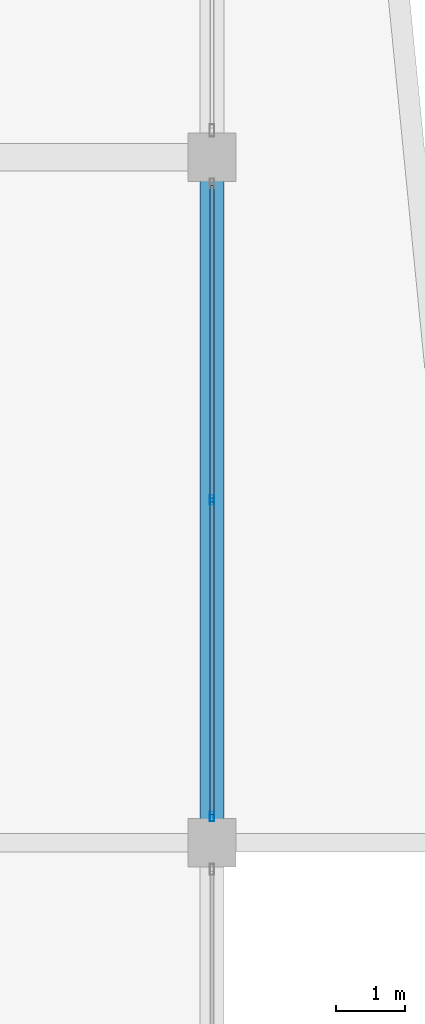
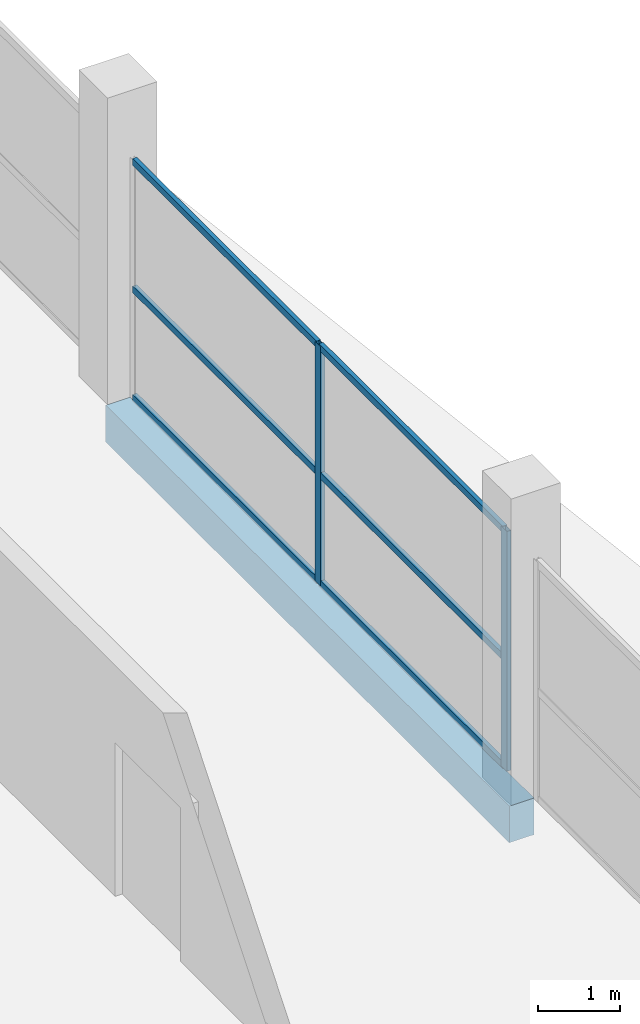
# One storey, part 36 of 69: 8 members, 1 beam, 1 element without a shape of its own.
"""IFC4 building model written with IfcOpenShell, lengths in metres."""

from ifc_helpers import new_model, si_unit, direction, frame, origin, origin_2d, place, context, subcontext, project, spatial, rectangle, hollow_rectangle, extrude, material, layer, layer_set, material_profile, profile_set, type_object, element, aggregate, save


model = new_model("IFC4")

# Units and contexts
model_context = context("Model", 3, precision=1e-05, world=origin(), true_north=direction((0.0, 1.0)))
body_context = subcontext(model_context, "Body", "Model", "MODEL_VIEW")
ifc_project = project(units=[si_unit("LENGTHUNIT", "METRE"), si_unit("AREAUNIT", "SQUARE_METRE"), si_unit("VOLUMEUNIT", "CUBIC_METRE"), si_unit("PLANEANGLEUNIT", "RADIAN"), si_unit("MASSUNIT", "GRAM", prefix="KILO")], contexts=[model_context])

# Site, building, storey
site_placement = place(None, origin())
site = spatial("IfcSite", under=ifc_project, at=site_placement, CompositionType="ELEMENT")
building_placement = place(site_placement, origin())
building = spatial("IfcBuilding", under=site, at=building_placement, Name="Sillaruma Civic Art Gallery", CompositionType="ELEMENT")
storey_placement = place(building_placement, frame((0.0, 0.0, 42.330078125)))
storey = spatial("IfcBuildingStorey", under=building, at=storey_placement, Name="L08", CompositionType="ELEMENT", Elevation=42.330078125)

# Beam
ifc_material_1 = material(Name="Concrete H35 (35 MPa)", Category="concrete")
ifc_material_profile_1 = material_profile(ifc_material_1, rectangle(XDim=0.35009765625, YDim=0.550048828125, at=origin_2d()), Name="RCB350x550")
ifc_profile_set_1 = profile_set([ifc_material_profile_1], Name="Concrete H35 (35 MPa)")
beam_type = type_object("IfcBeamType", Name="BM-SPANDREL-RCB350x550", PredefinedType="SPANDREL", material=ifc_profile_set_1)
beam_placement = place(storey_placement, frame((114.39990234375, 59.39990234375, -0.55517578125), z_axis=(0.0, 1.0, 0.0), x_axis=(-1.0, 0.0, 0.0)))
element("IfcBeam", 1, at=beam_placement, inside=storey, type_object=beam_type, Name="Beam BS-04 (L07:N:7-8)", PredefinedType="SPANDREL", context=body_context, shape_type="SweptSolid", body=[
    extrude(rectangle(XDim=0.35009765625, YDim=0.550048828125, at=origin_2d()), origin(), (0.0, 0.0, 1.0), 9.900146484375),
])

# Curtain wall, members
ifc_material_2 = material(Name="Thermally Broken Extruded Aluminium 6063-T6", Category="aluminium")
ifc_layer = layer(ifc_material_2, 0.139892578125, Name="Thermally Broken Extruded Aluminium 6063-T6")
ifc_layer_set = layer_set([ifc_layer], Name="Thermally Broken Extruded Aluminium 6063-T6")
curtain_wall_type = type_object("IfcCurtainWallType", Name="CW-UNI-32", PredefinedType="NOTDEFINED", material=ifc_layer_set)
curtain_wall_placement = place(storey_placement, origin())
curtain_wall = element("IfcCurtainWall", 2, at=curtain_wall_placement, inside=storey, type_object=curtain_wall_type, Name="Unitised Curtain Wall CW-32 (CW-L08-EBE-5)", PredefinedType="NOTDEFINED")
ifc_material_profile_2 = material_profile(ifc_material_2, hollow_rectangle(XDim=0.06005859375, YDim=0.139892578125, WallThickness=0.00341796875, at=origin_2d()), Name="CWM60x140")
ifc_profile_set_2 = profile_set([ifc_material_profile_2], Name="Thermally Broken Extruded Aluminium 6063-T6")
member_type_1 = type_object("IfcMemberType", Name="MEM-MUL-CWM60x140", PredefinedType="MULLION", material=ifc_profile_set_2)
member_1_placement = place(storey_placement, frame((114.39990234375, 59.780029296875, 0.0), z_axis=(0.0, 0.0, 1.0), x_axis=(-1.0, 0.0, 0.0)))
member_1 = element("IfcMember", 3, at=member_1_placement, type_object=member_type_1, Name="CW-32 mullion 1", PredefinedType="MULLION", context=body_context, shape_type="SweptSolid", body=[
    extrude(hollow_rectangle(XDim=0.06005859375, YDim=0.139892578125, WallThickness=0.00341796875, at=origin_2d()), origin(), (0.0, 0.0, 1.0), 3.58984375),
])
member_2_placement = place(storey_placement, frame((114.39990234375, 64.35009765625, 0.0), z_axis=(0.0, 0.0, 1.0), x_axis=(-1.0, 0.0, 0.0)))
member_2 = element("IfcMember", 4, at=member_2_placement, type_object=member_type_1, Name="CW-32 mullion 2", PredefinedType="MULLION", context=body_context, shape_type="SweptSolid", body=[
    extrude(hollow_rectangle(XDim=0.06005859375, YDim=0.139892578125, WallThickness=0.00341796875, at=origin_2d()), origin(), (0.0, 0.0, 1.0), 3.58984375),
])
ifc_material_profile_3 = material_profile(ifc_material_2, hollow_rectangle(XDim=0.06005859375, YDim=0.10009765625, WallThickness=0.003173828125, at=origin_2d()), Name="CWT60x100")
ifc_profile_set_3 = profile_set([ifc_material_profile_3], Name="Thermally Broken Extruded Aluminium 6063-T6")
member_type_2 = type_object("IfcMemberType", Name="MEM-TRN-CWT60x100", PredefinedType="USERDEFINED", material=ifc_profile_set_3)
member_3_placement = place(storey_placement, frame((114.39990234375, 59.81005859375, 0.030029296875), z_axis=(0.0, 1.0, 0.0), x_axis=(-1.0, 0.0, 0.0)))
member_3 = element("IfcMember", 5, at=member_3_placement, type_object=member_type_2, Name="CW-32 transom 1.1", ObjectType="TRANSOM", PredefinedType="USERDEFINED", context=body_context, shape_type="SweptSolid", body=[
    extrude(hollow_rectangle(XDim=0.06005859375, YDim=0.10009765625, WallThickness=0.003173828125, at=origin_2d()), origin(), (0.0, 0.0, 1.0), 4.510009765625),
])
member_4_placement = place(storey_placement, frame((114.39990234375, 59.81005859375, 1.6513671875), z_axis=(0.0, 1.0, 0.0), x_axis=(-1.0, 0.0, 0.0)))
member_4 = element("IfcMember", 6, at=member_4_placement, type_object=member_type_2, Name="CW-32 transom 1.2", ObjectType="TRANSOM", PredefinedType="USERDEFINED", context=body_context, shape_type="SweptSolid", body=[
    extrude(hollow_rectangle(XDim=0.06005859375, YDim=0.10009765625, WallThickness=0.003173828125, at=origin_2d()), origin(), (0.0, 0.0, 1.0), 4.510009765625),
])
member_5_placement = place(storey_placement, frame((114.39990234375, 59.81005859375, 3.559814453125), z_axis=(0.0, 1.0, 0.0), x_axis=(-1.0, 0.0, 0.0)))
member_5 = element("IfcMember", 7, at=member_5_placement, type_object=member_type_2, Name="CW-32 transom 1.3", ObjectType="TRANSOM", PredefinedType="USERDEFINED", context=body_context, shape_type="SweptSolid", body=[
    extrude(hollow_rectangle(XDim=0.06005859375, YDim=0.10009765625, WallThickness=0.003173828125, at=origin_2d()), origin(), (0.0, 0.0, 1.0), 4.510009765625),
])
member_6_placement = place(storey_placement, frame((114.39990234375, 64.3798828125, 0.030029296875), z_axis=(0.0, 1.0, 0.0), x_axis=(-1.0, 0.0, 0.0)))
member_6 = element("IfcMember", 8, at=member_6_placement, type_object=member_type_2, Name="CW-32 transom 2.1", ObjectType="TRANSOM", PredefinedType="USERDEFINED", context=body_context, shape_type="SweptSolid", body=[
    extrude(hollow_rectangle(XDim=0.06005859375, YDim=0.10009765625, WallThickness=0.003173828125, at=origin_2d()), origin(), (0.0, 0.0, 1.0), 4.510009765625),
])
member_7_placement = place(storey_placement, frame((114.39990234375, 64.3798828125, 1.6513671875), z_axis=(0.0, 1.0, 0.0), x_axis=(-1.0, 0.0, 0.0)))
member_7 = element("IfcMember", 9, at=member_7_placement, type_object=member_type_2, Name="CW-32 transom 2.2", ObjectType="TRANSOM", PredefinedType="USERDEFINED", context=body_context, shape_type="SweptSolid", body=[
    extrude(hollow_rectangle(XDim=0.06005859375, YDim=0.10009765625, WallThickness=0.003173828125, at=origin_2d()), origin(), (0.0, 0.0, 1.0), 4.510009765625),
])
member_8_placement = place(storey_placement, frame((114.39990234375, 64.3798828125, 3.559814453125), z_axis=(0.0, 1.0, 0.0), x_axis=(-1.0, 0.0, 0.0)))
member_8 = element("IfcMember", 10, at=member_8_placement, type_object=member_type_2, Name="CW-32 transom 2.3", ObjectType="TRANSOM", PredefinedType="USERDEFINED", context=body_context, shape_type="SweptSolid", body=[
    extrude(hollow_rectangle(XDim=0.06005859375, YDim=0.10009765625, WallThickness=0.003173828125, at=origin_2d()), origin(), (0.0, 0.0, 1.0), 4.510009765625),
])
aggregate(curtain_wall, [member_1, member_2, member_3, member_4, member_5, member_6, member_7, member_8])

save(model, "model.ifc")
